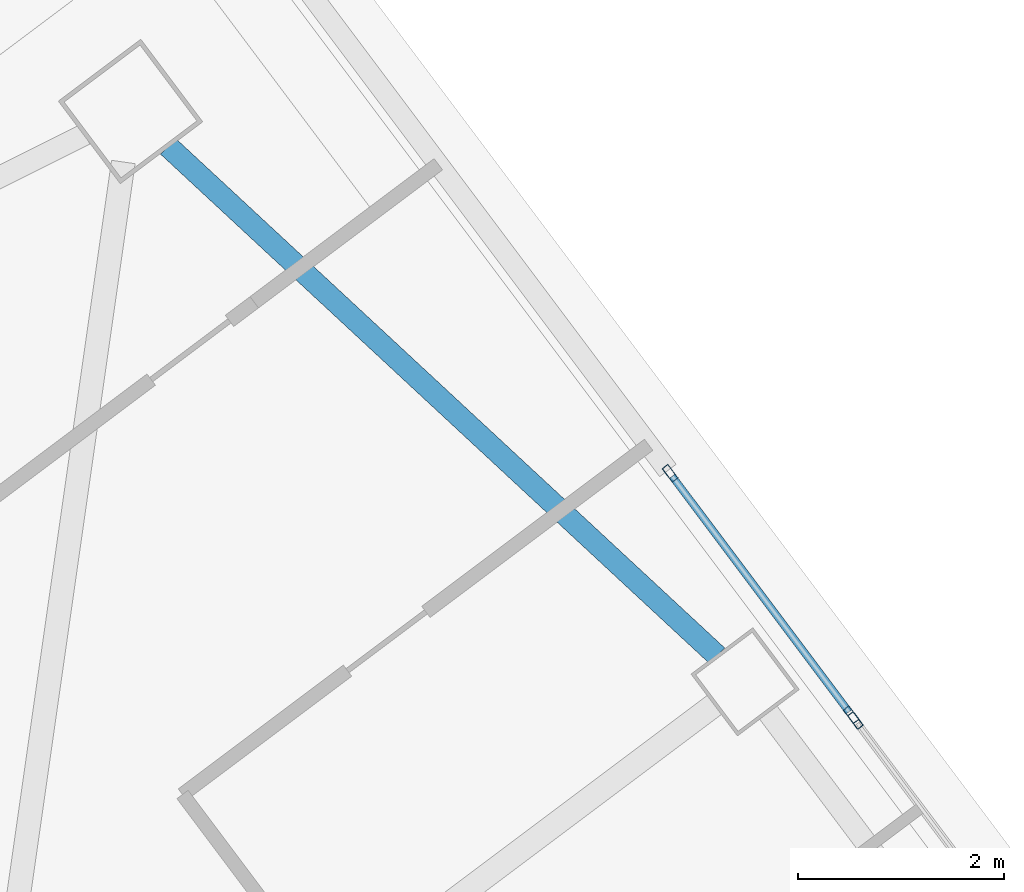
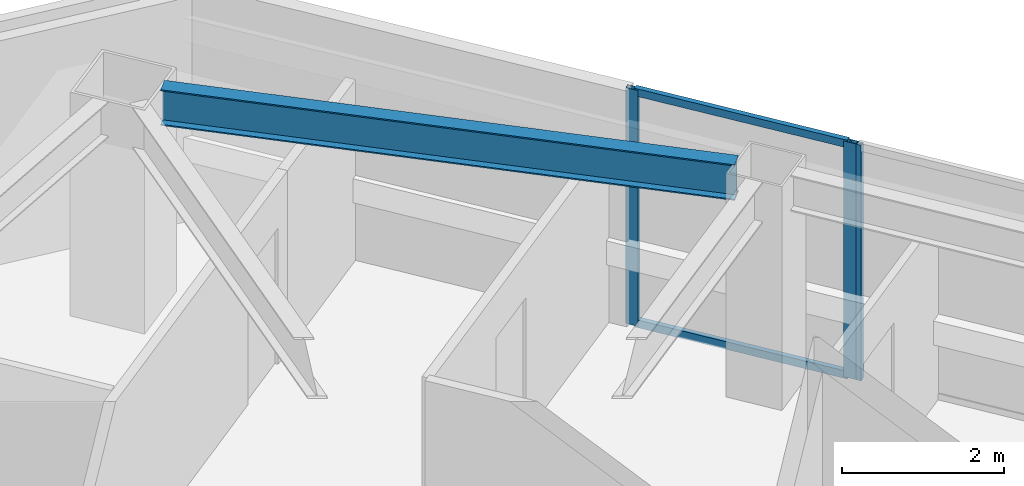
# One storey, part 27 of 40: 5 members, 1 beam, 2 elements without a shape of their own.
"""IFC4 building model written with IfcOpenShell, lengths in metres."""

from ifc_helpers import new_model, si_unit, direction, frame, origin, origin_2d, place, context, subcontext, project, spatial, hollow_rectangle, i_section, extrude, material, material_profile, profile_set, type_object, element, aggregate, save


model = new_model("IFC4")

# Units and contexts
model_context = context("Model", 3, precision=1e-05, world=origin(), true_north=direction((0.0, 1.0)))
body_context = subcontext(model_context, "Body", "Model", "MODEL_VIEW")
ifc_project = project(units=[si_unit("LENGTHUNIT", "METRE"), si_unit("AREAUNIT", "SQUARE_METRE"), si_unit("VOLUMEUNIT", "CUBIC_METRE"), si_unit("PLANEANGLEUNIT", "RADIAN"), si_unit("MASSUNIT", "GRAM", prefix="KILO")], contexts=[model_context])

# Site, building, storey
site_placement = place(None, origin())
site = spatial("IfcSite", under=ifc_project, at=site_placement, CompositionType="ELEMENT")
building_placement = place(site_placement, origin())
building = spatial("IfcBuilding", under=site, at=building_placement, Name="Tashvorn Skyway Center", CompositionType="ELEMENT")
storey_placement = place(building_placement, frame((0.0, 0.0, 221.949951171875)))
storey = spatial("IfcBuildingStorey", under=building, at=storey_placement, Name="L60", CompositionType="ELEMENT", Elevation=221.949951171875)

# Beam
ifc_material_1 = material(Name="Steel ASTM A992 Grade 50", Category="steel")
ifc_material_profile_1 = material_profile(ifc_material_1, i_section(OverallWidth=0.2109375, OverallDepth=0.5390625, WebThickness=0.01171875, FlangeThickness=0.018798828125, at=origin_2d()), Name="W21X73")
ifc_profile_set_1 = profile_set([ifc_material_profile_1], Name="Steel ASTM A992 Grade 50")
beam_type = type_object("IfcBeamType", Name="BM-SPANDREL-W21X73", PredefinedType="SPANDREL", material=ifc_profile_set_1)
beam_placement = place(storey_placement, frame((122.36865234375, 45.481689453125, 3.1005859375), z_axis=(-0.733042389989, 0.680182956622, 0.0), x_axis=(-0.680182956622, -0.733042389989, 0.0)))
element("IfcBeam", 1, at=beam_placement, inside=storey, type_object=beam_type, Name="Tower 2 L60 Spandrel Beam 06", PredefinedType="SPANDREL", context=body_context, shape_type="SweptSolid", body=[
    extrude(i_section(OverallWidth=0.2109375, OverallDepth=0.5390625, WebThickness=0.01171875, FlangeThickness=0.018798828125, at=origin_2d()), origin(), (0.0, 0.0, 1.0), 7.26513671875),
])

# Curtain wall, members
ifc_material_2 = material(Name="Thermally broken bronze-anodized aluminium 6063-T6", Category="aluminium")
curtain_wall_type = type_object("IfcCurtainWallType", Name="CW-CW-Z5", PredefinedType="NOTDEFINED", material=ifc_material_2)
curtain_wall_1_placement = place(storey_placement, origin())
curtain_wall_1 = element("IfcCurtainWall", 2, at=curtain_wall_1_placement, inside=storey, type_object=curtain_wall_type, Name="Tower 2 L60 East Unitised Curtain Wall Glazing Group 1", PredefinedType="NOTDEFINED")
ifc_material_profile_2 = material_profile(ifc_material_2, hollow_rectangle(XDim=0.070068359375, YDim=0.1650390625, WallThickness=0.00390625, at=origin_2d()), Name="ALU-MULL-70x165")
ifc_profile_set_2 = profile_set([ifc_material_profile_2], Name="Thermally broken bronze-anodized aluminium 6063-T6")
member_type_1 = type_object("IfcMemberType", Name="CWM-CW-Z5", PredefinedType="MULLION", material=ifc_profile_set_2)
member_1_placement = place(storey_placement, frame((121.91162109375, 47.251220703125, 0.0), z_axis=(0.0, 0.0, 1.0), x_axis=(0.799999999998, 0.600000000002, 0.0)))
member_1 = element("IfcMember", 3, at=member_1_placement, type_object=member_type_1, Name="CW-Z5 mullion 1", PredefinedType="MULLION", context=body_context, shape_type="SweptSolid", body=[
    extrude(hollow_rectangle(XDim=0.070068359375, YDim=0.1650390625, WallThickness=0.00390625, at=origin_2d()), origin(), (0.0, 0.0, 1.0), 3.550048828125),
])
member_2_placement = place(storey_placement, frame((123.6669921875, 44.91064453125, 0.0), z_axis=(0.0, 0.0, 1.0), x_axis=(0.799999999998, 0.600000000002, 0.0)))
member_2 = element("IfcMember", 4, at=member_2_placement, type_object=member_type_1, Name="CW-Z5 mullion 2", PredefinedType="MULLION", context=body_context, shape_type="SweptSolid", body=[
    extrude(hollow_rectangle(XDim=0.070068359375, YDim=0.1650390625, WallThickness=0.00390625, at=origin_2d()), origin(), (0.0, 0.0, 1.0), 3.550048828125),
])

# Curtain wall, member
curtain_wall_2_placement = place(storey_placement, origin())
curtain_wall_2 = element("IfcCurtainWall", 5, at=curtain_wall_2_placement, inside=storey, type_object=curtain_wall_type, Name="Tower 2 L60 East Unitised Curtain Wall Glazing Group 2", PredefinedType="NOTDEFINED")
member_3_placement = place(storey_placement, frame((123.708984375, 44.854736328125, 0.0), z_axis=(0.0, 0.0, 1.0), x_axis=(0.800002670596, 0.599996439189, 0.0)))
member_3 = element("IfcMember", 6, at=member_3_placement, type_object=member_type_1, Name="CW-Z5 mullion 1", PredefinedType="MULLION", context=body_context, shape_type="SweptSolid", body=[
    extrude(hollow_rectangle(XDim=0.070068359375, YDim=0.1650390625, WallThickness=0.00390625, at=origin_2d()), origin(), (0.0, 0.0, 1.0), 3.550048828125),
])
aggregate(curtain_wall_2, [member_3])

# Member
ifc_material_profile_3 = material_profile(ifc_material_2, hollow_rectangle(XDim=0.070068359375, YDim=0.114990234375, WallThickness=0.00390625, at=origin_2d()), Name="ALU-TRAN-70x115")
ifc_profile_set_3 = profile_set([ifc_material_profile_3], Name="Thermally broken bronze-anodized aluminium 6063-T6")
member_type_2 = type_object("IfcMemberType", Name="CWT-CW-Z5", PredefinedType="USERDEFINED", material=ifc_profile_set_3)
member_4_placement = place(storey_placement, frame((121.9326171875, 47.22314453125, 0.03515625), z_axis=(0.600013679335, -0.799989740316, 0.0), x_axis=(0.799989740316, 0.600013679335, 0.0)))
member_4 = element("IfcMember", 7, at=member_4_placement, type_object=member_type_2, Name="CW-Z5 transom 1.1", ObjectType="TRANSOM", PredefinedType="USERDEFINED", context=body_context, shape_type="SweptSolid", body=[
    extrude(hollow_rectangle(XDim=0.070068359375, YDim=0.114990234375, WallThickness=0.00390625, at=origin_2d()), origin(), (0.0, 0.0, 1.0), 2.85546875),
])

member_5_placement = place(storey_placement, frame((121.9326171875, 47.22314453125, 3.51513671875), z_axis=(0.600013679335, -0.799989740316, 0.0), x_axis=(0.799989740316, 0.600013679335, 0.0)))
member_5 = element("IfcMember", 8, at=member_5_placement, type_object=member_type_2, Name="CW-Z5 transom 1.2", ObjectType="TRANSOM", PredefinedType="USERDEFINED", context=body_context, shape_type="SweptSolid", body=[
    extrude(hollow_rectangle(XDim=0.070068359375, YDim=0.114990234375, WallThickness=0.00390625, at=origin_2d()), origin(), (0.0, 0.0, 1.0), 2.85546875),
])

aggregate(curtain_wall_1, [member_1, member_2, member_4, member_5])

save(model, "model.ifc")
